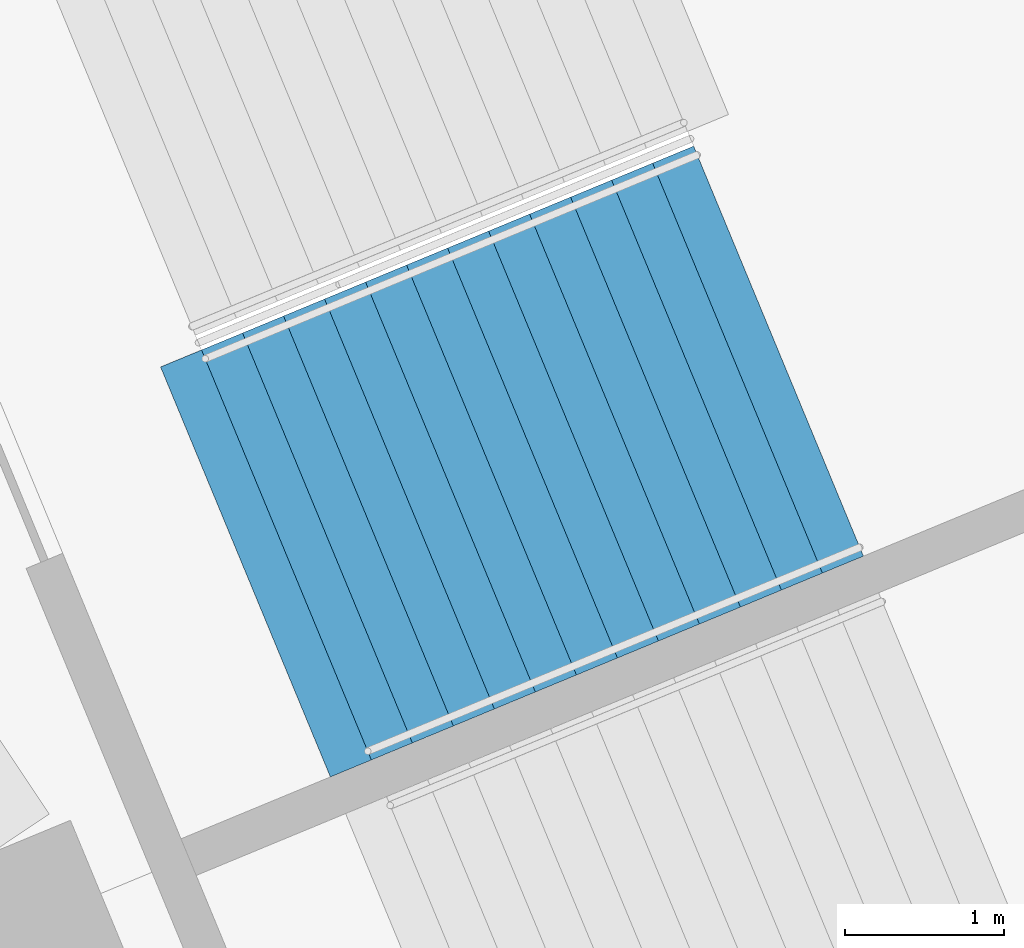
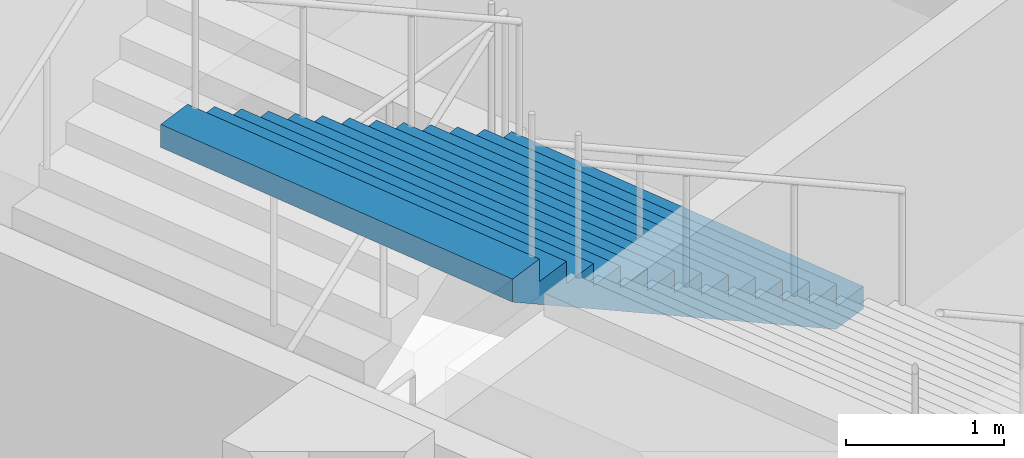
# One storey, part 157 of 177: 1 stair flight, 1 element without a shape of its own.
"""IFC4 building model written with IfcOpenShell, lengths in metres."""

from ifc_helpers import new_model, si_unit, direction, frame, origin, place, context, subcontext, project, spatial, faceted_brep, material, type_object, element, aggregate, save


model = new_model("IFC4")

# Units and contexts
model_context = context("Model", 3, precision=1e-05, world=origin(), true_north=direction((0.0, 1.0)))
body_context = subcontext(model_context, "Body", "Model", "MODEL_VIEW")
ifc_project = project(units=[si_unit("LENGTHUNIT", "METRE"), si_unit("AREAUNIT", "SQUARE_METRE"), si_unit("VOLUMEUNIT", "CUBIC_METRE"), si_unit("PLANEANGLEUNIT", "RADIAN"), si_unit("MASSUNIT", "GRAM", prefix="KILO")], contexts=[model_context])

# Site, building, storey
site_placement = place(None, origin())
site = spatial("IfcSite", under=ifc_project, at=site_placement, CompositionType="ELEMENT")
building_placement = place(site_placement, origin())
building = spatial("IfcBuilding", under=site, at=building_placement, Name="Ogive Plaza Stadium", CompositionType="ELEMENT")
storey_placement = place(building_placement, frame((0.0, 0.0, 18.0)))
storey = spatial("IfcBuildingStorey", under=building, at=storey_placement, Name="L04", CompositionType="ELEMENT", Elevation=18.0)

# Stair, stair flight
ifc_material_1 = material(Name="Concrete C40/50", Category="concrete")
stair_type = type_object("IfcStairType", Name="Exit stair", PredefinedType="STRAIGHT_RUN_STAIR", material=ifc_material_1)
stair_placement = place(storey_placement, origin())
stair = element("IfcStair", 1, at=stair_placement, inside=storey, type_object=stair_type, Name="Exit stair ST40B L04 to L05", PredefinedType="STRAIGHT_RUN_STAIR")
ifc_material_2 = material(Name="Concrete C40/50", Category="concrete")
stair_flight_type = type_object("IfcStairFlightType", Name="Exit stair flight", PredefinedType="STRAIGHT", material=ifc_material_2)
stair_flight_placement = place(storey_placement, frame((75.64697265625, 71.4013671875, 2.25), z_axis=(0.0, 0.0, 1.0), x_axis=(-0.923879532511, -0.382683432365, 0.0)))
stair_flight = element("IfcStairFlight", 2, at=stair_flight_placement, type_object=stair_flight_type, Name="ST40B flight 2", NumberOfRisers=13, NumberOfTreads=12, PredefinedType="STRAIGHT", RiserHeight=0.173076923, TreadLength=0.28, context=body_context, shape_type="Brep", body=[
    faceted_brep([(0.28515625, -1.39990234375, 0.0), (3.639892578125, -1.39990234375, 2.07373046875), (3.639892578125, -1.39990234375, 2.25), (3.360107421875, -1.39990234375, 2.25), (3.360107421875, -1.39990234375, 2.076904296875), (3.080078125, -1.39990234375, 2.076904296875), (3.080078125, -1.39990234375, 1.90380859375), (2.800048828125, -1.39990234375, 1.90380859375), (2.800048828125, -1.39990234375, 1.730712890625), (2.52001953125, -1.39990234375, 1.730712890625), (2.52001953125, -1.39990234375, 1.5576171875), (2.239990234375, -1.39990234375, 1.5576171875), (2.239990234375, -1.39990234375, 1.384521484375), (1.9599609375, -1.39990234375, 1.384521484375), (1.9599609375, -1.39990234375, 1.21142578125), (1.679931640625, -1.39990234375, 1.21142578125), (1.679931640625, -1.39990234375, 1.03857421875), (1.39990234375, -1.39990234375, 1.03857421875), (1.39990234375, -1.39990234375, 0.865478515625), (1.1201171875, -1.39990234375, 0.865478515625), (1.1201171875, -1.39990234375, 0.6923828125), (0.840087890625, -1.39990234375, 0.6923828125), (0.840087890625, -1.39990234375, 0.519287109375), (0.56005859375, -1.39990234375, 0.519287109375), (0.56005859375, -1.39990234375, 0.34619140625), (0.280029296875, -1.39990234375, 0.34619140625), (0.280029296875, -1.39990234375, 0.173095703125), (0.0, -1.39990234375, 0.173095703125), (0.0, -1.39990234375, 0.0), (0.0, 1.39990234375, 0.0), (0.0, 1.39990234375, 0.173095703125), (0.280029296875, 1.39990234375, 0.173095703125), (0.280029296875, 1.39990234375, 0.34619140625), (0.56005859375, 1.39990234375, 0.34619140625), (0.56005859375, 1.39990234375, 0.519287109375), (0.840087890625, 1.39990234375, 0.519287109375), (0.840087890625, 1.39990234375, 0.6923828125), (1.1201171875, 1.39990234375, 0.6923828125), (1.1201171875, 1.39990234375, 0.865478515625), (1.39990234375, 1.39990234375, 0.865478515625), (1.39990234375, 1.39990234375, 1.03857421875), (1.679931640625, 1.39990234375, 1.03857421875), (1.679931640625, 1.39990234375, 1.21142578125), (1.9599609375, 1.39990234375, 1.21142578125), (1.9599609375, 1.39990234375, 1.384521484375), (2.239990234375, 1.39990234375, 1.384521484375), (2.239990234375, 1.39990234375, 1.5576171875), (2.52001953125, 1.39990234375, 1.5576171875), (2.52001953125, 1.39990234375, 1.730712890625), (2.800048828125, 1.39990234375, 1.730712890625), (2.800048828125, 1.39990234375, 1.90380859375), (3.080078125, 1.39990234375, 1.90380859375), (3.080078125, 1.39990234375, 2.076904296875), (3.360107421875, 1.39990234375, 2.076904296875), (3.360107421875, 1.39990234375, 2.25), (3.639892578125, 1.39990234375, 2.25), (3.639892578125, 1.39990234375, 2.07373046875), (0.28515625, 1.39990234375, 0.0), (0.28515625, -1.0888671875, 0.0), (3.639892578125, -1.0888671875, 2.07373046875), (0.28515625, -0.77783203125, 0.0), (3.639892578125, -0.77783203125, 2.07373046875), (0.28515625, -0.466796875, 0.0), (3.639892578125, -0.466796875, 2.07373046875), (0.28515625, -0.155517578125, 0.0), (3.639892578125, -0.155517578125, 2.07373046875), (0.28515625, 0.155517578125, 0.0), (3.639892578125, 0.155517578125, 2.07373046875), (0.28515625, 0.466796875, 0.0), (3.639892578125, 0.466796875, 2.07373046875), (0.28515625, 0.77783203125, 0.0), (3.639892578125, 0.77783203125, 2.07373046875), (0.28515625, 1.0888671875, 0.0), (3.639892578125, 1.0888671875, 2.07373046875), (3.639892578125, -1.0888671875, 2.25), (3.639892578125, -0.77783203125, 2.25), (3.639892578125, -0.466796875, 2.25), (3.639892578125, -0.155517578125, 2.25), (3.639892578125, 0.155517578125, 2.25), (3.639892578125, 0.466796875, 2.25), (3.639892578125, 0.77783203125, 2.25), (3.639892578125, 1.0888671875, 2.25), (3.360107421875, -1.0888671875, 2.25), (3.360107421875, -0.77783203125, 2.25), (3.360107421875, -0.466796875, 2.25), (3.360107421875, -0.155517578125, 2.25), (3.360107421875, 0.155517578125, 2.25), (3.360107421875, 0.466796875, 2.25), (3.360107421875, 0.77783203125, 2.25), (3.360107421875, 1.0888671875, 2.25), (3.360107421875, -1.0888671875, 2.076904296875), (3.360107421875, -0.77783203125, 2.076904296875), (3.360107421875, -0.466796875, 2.076904296875), (3.360107421875, -0.155517578125, 2.076904296875), (3.360107421875, 0.155517578125, 2.076904296875), (3.360107421875, 0.466796875, 2.076904296875), (3.360107421875, 0.77783203125, 2.076904296875), (3.360107421875, 1.0888671875, 2.076904296875), (3.080078125, -1.0888671875, 2.076904296875), (3.080078125, -0.77783203125, 2.076904296875), (3.080078125, -0.466796875, 2.076904296875), (3.080078125, -0.155517578125, 2.076904296875), (3.080078125, 0.155517578125, 2.076904296875), (3.080078125, 0.466796875, 2.076904296875), (3.080078125, 0.77783203125, 2.076904296875), (3.080078125, 1.0888671875, 2.076904296875), (3.080078125, -1.0888671875, 1.90380859375), (3.080078125, -0.77783203125, 1.90380859375), (3.080078125, -0.466796875, 1.90380859375), (3.080078125, -0.155517578125, 1.90380859375), (3.080078125, 0.155517578125, 1.90380859375), (3.080078125, 0.466796875, 1.90380859375), (3.080078125, 0.77783203125, 1.90380859375), (3.080078125, 1.0888671875, 1.90380859375), (2.800048828125, -1.0888671875, 1.90380859375), (2.800048828125, -0.77783203125, 1.90380859375), (2.800048828125, -0.466796875, 1.90380859375), (2.800048828125, -0.155517578125, 1.90380859375), (2.800048828125, 0.155517578125, 1.90380859375), (2.800048828125, 0.466796875, 1.90380859375), (2.800048828125, 0.77783203125, 1.90380859375), (2.800048828125, 1.0888671875, 1.90380859375), (2.800048828125, -1.0888671875, 1.730712890625), (2.800048828125, -0.77783203125, 1.730712890625), (2.800048828125, -0.466796875, 1.730712890625), (2.800048828125, -0.155517578125, 1.730712890625), (2.800048828125, 0.155517578125, 1.730712890625), (2.800048828125, 0.466796875, 1.730712890625), (2.800048828125, 0.77783203125, 1.730712890625), (2.800048828125, 1.0888671875, 1.730712890625), (2.52001953125, -1.0888671875, 1.730712890625), (2.52001953125, -0.77783203125, 1.730712890625), (2.52001953125, -0.466796875, 1.730712890625), (2.52001953125, -0.155517578125, 1.730712890625), (2.52001953125, 0.155517578125, 1.730712890625), (2.52001953125, 0.466796875, 1.730712890625), (2.52001953125, 0.77783203125, 1.730712890625), (2.52001953125, 1.0888671875, 1.730712890625), (2.52001953125, -1.0888671875, 1.5576171875), (2.52001953125, -0.77783203125, 1.5576171875), (2.52001953125, -0.466796875, 1.5576171875), (2.52001953125, -0.155517578125, 1.5576171875), (2.52001953125, 0.155517578125, 1.5576171875), (2.52001953125, 0.466796875, 1.5576171875), (2.52001953125, 0.77783203125, 1.5576171875), (2.52001953125, 1.0888671875, 1.5576171875), (2.239990234375, -1.0888671875, 1.5576171875), (2.239990234375, -0.77783203125, 1.5576171875), (2.239990234375, -0.466796875, 1.5576171875), (2.239990234375, -0.155517578125, 1.5576171875), (2.239990234375, 0.155517578125, 1.5576171875), (2.239990234375, 0.466796875, 1.5576171875), (2.239990234375, 0.77783203125, 1.5576171875), (2.239990234375, 1.0888671875, 1.5576171875), (2.239990234375, -1.0888671875, 1.384521484375), (2.239990234375, -0.77783203125, 1.384521484375), (2.239990234375, -0.466796875, 1.384521484375), (2.239990234375, -0.155517578125, 1.384521484375), (2.239990234375, 0.155517578125, 1.384521484375), (2.239990234375, 0.466796875, 1.384521484375), (2.239990234375, 0.77783203125, 1.384521484375), (2.239990234375, 1.0888671875, 1.384521484375), (1.9599609375, -1.0888671875, 1.384521484375), (1.9599609375, -0.77783203125, 1.384521484375), (1.9599609375, -0.466796875, 1.384521484375), (1.9599609375, -0.155517578125, 1.384521484375), (1.9599609375, 0.155517578125, 1.384521484375), (1.9599609375, 0.466796875, 1.384521484375), (1.9599609375, 0.77783203125, 1.384521484375), (1.9599609375, 1.0888671875, 1.384521484375), (1.9599609375, -1.0888671875, 1.21142578125), (1.9599609375, -0.77783203125, 1.21142578125), (1.9599609375, -0.466796875, 1.21142578125), (1.9599609375, -0.155517578125, 1.21142578125), (1.9599609375, 0.155517578125, 1.21142578125), (1.9599609375, 0.466796875, 1.21142578125), (1.9599609375, 0.77783203125, 1.21142578125), (1.9599609375, 1.0888671875, 1.21142578125), (1.679931640625, -1.0888671875, 1.21142578125), (1.679931640625, -0.77783203125, 1.21142578125), (1.679931640625, -0.466796875, 1.21142578125), (1.679931640625, -0.155517578125, 1.21142578125), (1.679931640625, 0.155517578125, 1.21142578125), (1.679931640625, 0.466796875, 1.21142578125), (1.679931640625, 0.77783203125, 1.21142578125), (1.679931640625, 1.0888671875, 1.21142578125), (1.679931640625, -1.0888671875, 1.03857421875), (1.679931640625, -0.77783203125, 1.03857421875), (1.679931640625, -0.466796875, 1.03857421875), (1.679931640625, -0.155517578125, 1.03857421875), (1.679931640625, 0.155517578125, 1.03857421875), (1.679931640625, 0.466796875, 1.03857421875), (1.679931640625, 0.77783203125, 1.03857421875), (1.679931640625, 1.0888671875, 1.03857421875), (1.39990234375, -1.0888671875, 1.03857421875), (1.39990234375, -0.77783203125, 1.03857421875), (1.39990234375, -0.466796875, 1.03857421875), (1.39990234375, -0.155517578125, 1.03857421875), (1.39990234375, 0.155517578125, 1.03857421875), (1.39990234375, 0.466796875, 1.03857421875), (1.39990234375, 0.77783203125, 1.03857421875), (1.39990234375, 1.0888671875, 1.03857421875), (1.39990234375, -1.0888671875, 0.865478515625), (1.39990234375, -0.77783203125, 0.865478515625), (1.39990234375, -0.466796875, 0.865478515625), (1.39990234375, -0.155517578125, 0.865478515625), (1.39990234375, 0.155517578125, 0.865478515625), (1.39990234375, 0.466796875, 0.865478515625), (1.39990234375, 0.77783203125, 0.865478515625), (1.39990234375, 1.0888671875, 0.865478515625), (1.1201171875, -1.0888671875, 0.865478515625), (1.1201171875, -0.77783203125, 0.865478515625), (1.1201171875, -0.466796875, 0.865478515625), (1.1201171875, -0.155517578125, 0.865478515625), (1.1201171875, 0.155517578125, 0.865478515625), (1.1201171875, 0.466796875, 0.865478515625), (1.1201171875, 0.77783203125, 0.865478515625), (1.1201171875, 1.0888671875, 0.865478515625), (1.1201171875, -1.0888671875, 0.6923828125), (1.1201171875, -0.77783203125, 0.6923828125), (1.1201171875, -0.466796875, 0.6923828125), (1.1201171875, -0.155517578125, 0.6923828125), (1.1201171875, 0.155517578125, 0.6923828125), (1.1201171875, 0.466796875, 0.6923828125), (1.1201171875, 0.77783203125, 0.6923828125), (1.1201171875, 1.0888671875, 0.6923828125), (0.840087890625, -1.0888671875, 0.6923828125), (0.840087890625, -0.77783203125, 0.6923828125), (0.840087890625, -0.466796875, 0.6923828125), (0.840087890625, -0.155517578125, 0.6923828125), (0.840087890625, 0.155517578125, 0.6923828125), (0.840087890625, 0.466796875, 0.6923828125), (0.840087890625, 0.77783203125, 0.6923828125), (0.840087890625, 1.0888671875, 0.6923828125), (0.840087890625, -1.0888671875, 0.519287109375), (0.840087890625, -0.77783203125, 0.519287109375), (0.840087890625, -0.466796875, 0.519287109375), (0.840087890625, -0.155517578125, 0.519287109375), (0.840087890625, 0.155517578125, 0.519287109375), (0.840087890625, 0.466796875, 0.519287109375), (0.840087890625, 0.77783203125, 0.519287109375), (0.840087890625, 1.0888671875, 0.519287109375), (0.56005859375, -1.0888671875, 0.519287109375), (0.56005859375, -0.77783203125, 0.519287109375), (0.56005859375, -0.466796875, 0.519287109375), (0.56005859375, -0.155517578125, 0.519287109375), (0.56005859375, 0.155517578125, 0.519287109375), (0.56005859375, 0.466796875, 0.519287109375), (0.56005859375, 0.77783203125, 0.519287109375), (0.56005859375, 1.0888671875, 0.519287109375), (0.56005859375, -1.0888671875, 0.34619140625), (0.56005859375, -0.77783203125, 0.34619140625), (0.56005859375, -0.466796875, 0.34619140625), (0.56005859375, -0.155517578125, 0.34619140625), (0.56005859375, 0.155517578125, 0.34619140625), (0.56005859375, 0.466796875, 0.34619140625), (0.56005859375, 0.77783203125, 0.34619140625), (0.56005859375, 1.0888671875, 0.34619140625), (0.280029296875, -1.0888671875, 0.34619140625), (0.280029296875, -0.77783203125, 0.34619140625), (0.280029296875, -0.466796875, 0.34619140625), (0.280029296875, -0.155517578125, 0.34619140625), (0.280029296875, 0.155517578125, 0.34619140625), (0.280029296875, 0.466796875, 0.34619140625), (0.280029296875, 0.77783203125, 0.34619140625), (0.280029296875, 1.0888671875, 0.34619140625), (0.280029296875, -1.0888671875, 0.173095703125), (0.280029296875, -0.77783203125, 0.173095703125), (0.280029296875, -0.466796875, 0.173095703125), (0.280029296875, -0.155517578125, 0.173095703125), (0.280029296875, 0.155517578125, 0.173095703125), (0.280029296875, 0.466796875, 0.173095703125), (0.280029296875, 0.77783203125, 0.173095703125), (0.280029296875, 1.0888671875, 0.173095703125), (0.0, -1.0888671875, 0.173095703125), (0.0, -0.77783203125, 0.173095703125), (0.0, -0.466796875, 0.173095703125), (0.0, -0.155517578125, 0.173095703125), (0.0, 0.155517578125, 0.173095703125), (0.0, 0.466796875, 0.173095703125), (0.0, 0.77783203125, 0.173095703125), (0.0, 1.0888671875, 0.173095703125), (0.0, -1.0888671875, 0.0), (0.0, -0.77783203125, 0.0), (0.0, -0.466796875, 0.0), (0.0, -0.155517578125, 0.0), (0.0, 0.155517578125, 0.0), (0.0, 0.466796875, 0.0), (0.0, 0.77783203125, 0.0), (0.0, 1.0888671875, 0.0)], [[[0, 1, 2, 3, 4, 5, 6, 7, 8, 9, 10, 11, 12, 13, 14, 15, 16, 17, 18, 19, 20, 21, 22, 23, 24, 25, 26, 27, 28]], [[29, 30, 31, 32, 33, 34, 35, 36, 37, 38, 39, 40, 41, 42, 43, 44, 45, 46, 47, 48, 49, 50, 51, 52, 53, 54, 55, 56, 57]], [[0, 58, 59, 1]], [[58, 60, 61, 59]], [[60, 62, 63, 61]], [[62, 64, 65, 63]], [[64, 66, 67, 65]], [[66, 68, 69, 67]], [[68, 70, 71, 69]], [[70, 72, 73, 71]], [[72, 57, 56, 73]], [[1, 59, 74, 2]], [[59, 61, 75, 74]], [[61, 63, 76, 75]], [[63, 65, 77, 76]], [[65, 67, 78, 77]], [[67, 69, 79, 78]], [[69, 71, 80, 79]], [[71, 73, 81, 80]], [[73, 56, 55, 81]], [[2, 74, 82, 3]], [[74, 75, 83, 82]], [[75, 76, 84, 83]], [[76, 77, 85, 84]], [[77, 78, 86, 85]], [[78, 79, 87, 86]], [[79, 80, 88, 87]], [[80, 81, 89, 88]], [[81, 55, 54, 89]], [[3, 82, 90, 4]], [[82, 83, 91, 90]], [[83, 84, 92, 91]], [[84, 85, 93, 92]], [[85, 86, 94, 93]], [[86, 87, 95, 94]], [[87, 88, 96, 95]], [[88, 89, 97, 96]], [[89, 54, 53, 97]], [[4, 90, 98, 5]], [[90, 91, 99, 98]], [[91, 92, 100, 99]], [[92, 93, 101, 100]], [[93, 94, 102, 101]], [[94, 95, 103, 102]], [[95, 96, 104, 103]], [[96, 97, 105, 104]], [[97, 53, 52, 105]], [[5, 98, 106, 6]], [[98, 99, 107, 106]], [[99, 100, 108, 107]], [[100, 101, 109, 108]], [[101, 102, 110, 109]], [[102, 103, 111, 110]], [[103, 104, 112, 111]], [[104, 105, 113, 112]], [[105, 52, 51, 113]], [[6, 106, 114, 7]], [[106, 107, 115, 114]], [[107, 108, 116, 115]], [[108, 109, 117, 116]], [[109, 110, 118, 117]], [[110, 111, 119, 118]], [[111, 112, 120, 119]], [[112, 113, 121, 120]], [[113, 51, 50, 121]], [[7, 114, 122, 8]], [[114, 115, 123, 122]], [[115, 116, 124, 123]], [[116, 117, 125, 124]], [[117, 118, 126, 125]], [[118, 119, 127, 126]], [[119, 120, 128, 127]], [[120, 121, 129, 128]], [[121, 50, 49, 129]], [[8, 122, 130, 9]], [[122, 123, 131, 130]], [[123, 124, 132, 131]], [[124, 125, 133, 132]], [[125, 126, 134, 133]], [[126, 127, 135, 134]], [[127, 128, 136, 135]], [[128, 129, 137, 136]], [[129, 49, 48, 137]], [[9, 130, 138, 10]], [[130, 131, 139, 138]], [[131, 132, 140, 139]], [[132, 133, 141, 140]], [[133, 134, 142, 141]], [[134, 135, 143, 142]], [[135, 136, 144, 143]], [[136, 137, 145, 144]], [[137, 48, 47, 145]], [[10, 138, 146, 11]], [[138, 139, 147, 146]], [[139, 140, 148, 147]], [[140, 141, 149, 148]], [[141, 142, 150, 149]], [[142, 143, 151, 150]], [[143, 144, 152, 151]], [[144, 145, 153, 152]], [[145, 47, 46, 153]], [[11, 146, 154, 12]], [[146, 147, 155, 154]], [[147, 148, 156, 155]], [[148, 149, 157, 156]], [[149, 150, 158, 157]], [[150, 151, 159, 158]], [[151, 152, 160, 159]], [[152, 153, 161, 160]], [[153, 46, 45, 161]], [[12, 154, 162, 13]], [[154, 155, 163, 162]], [[155, 156, 164, 163]], [[156, 157, 165, 164]], [[157, 158, 166, 165]], [[158, 159, 167, 166]], [[159, 160, 168, 167]], [[160, 161, 169, 168]], [[161, 45, 44, 169]], [[13, 162, 170, 14]], [[162, 163, 171, 170]], [[163, 164, 172, 171]], [[164, 165, 173, 172]], [[165, 166, 174, 173]], [[166, 167, 175, 174]], [[167, 168, 176, 175]], [[168, 169, 177, 176]], [[169, 44, 43, 177]], [[14, 170, 178, 15]], [[170, 171, 179, 178]], [[171, 172, 180, 179]], [[172, 173, 181, 180]], [[173, 174, 182, 181]], [[174, 175, 183, 182]], [[175, 176, 184, 183]], [[176, 177, 185, 184]], [[177, 43, 42, 185]], [[15, 178, 186, 16]], [[178, 179, 187, 186]], [[179, 180, 188, 187]], [[180, 181, 189, 188]], [[181, 182, 190, 189]], [[182, 183, 191, 190]], [[183, 184, 192, 191]], [[184, 185, 193, 192]], [[185, 42, 41, 193]], [[16, 186, 194, 17]], [[186, 187, 195, 194]], [[187, 188, 196, 195]], [[188, 189, 197, 196]], [[189, 190, 198, 197]], [[190, 191, 199, 198]], [[191, 192, 200, 199]], [[192, 193, 201, 200]], [[193, 41, 40, 201]], [[17, 194, 202, 18]], [[194, 195, 203, 202]], [[195, 196, 204, 203]], [[196, 197, 205, 204]], [[197, 198, 206, 205]], [[198, 199, 207, 206]], [[199, 200, 208, 207]], [[200, 201, 209, 208]], [[201, 40, 39, 209]], [[18, 202, 210, 19]], [[202, 203, 211, 210]], [[203, 204, 212, 211]], [[204, 205, 213, 212]], [[205, 206, 214, 213]], [[206, 207, 215, 214]], [[207, 208, 216, 215]], [[208, 209, 217, 216]], [[209, 39, 38, 217]], [[19, 210, 218, 20]], [[210, 211, 219, 218]], [[211, 212, 220, 219]], [[212, 213, 221, 220]], [[213, 214, 222, 221]], [[214, 215, 223, 222]], [[215, 216, 224, 223]], [[216, 217, 225, 224]], [[217, 38, 37, 225]], [[20, 218, 226, 21]], [[218, 219, 227, 226]], [[219, 220, 228, 227]], [[220, 221, 229, 228]], [[221, 222, 230, 229]], [[222, 223, 231, 230]], [[223, 224, 232, 231]], [[224, 225, 233, 232]], [[225, 37, 36, 233]], [[21, 226, 234, 22]], [[226, 227, 235, 234]], [[227, 228, 236, 235]], [[228, 229, 237, 236]], [[229, 230, 238, 237]], [[230, 231, 239, 238]], [[231, 232, 240, 239]], [[232, 233, 241, 240]], [[233, 36, 35, 241]], [[22, 234, 242, 23]], [[234, 235, 243, 242]], [[235, 236, 244, 243]], [[236, 237, 245, 244]], [[237, 238, 246, 245]], [[238, 239, 247, 246]], [[239, 240, 248, 247]], [[240, 241, 249, 248]], [[241, 35, 34, 249]], [[23, 242, 250, 24]], [[242, 243, 251, 250]], [[243, 244, 252, 251]], [[244, 245, 253, 252]], [[245, 246, 254, 253]], [[246, 247, 255, 254]], [[247, 248, 256, 255]], [[248, 249, 257, 256]], [[249, 34, 33, 257]], [[24, 250, 258, 25]], [[250, 251, 259, 258]], [[251, 252, 260, 259]], [[252, 253, 261, 260]], [[253, 254, 262, 261]], [[254, 255, 263, 262]], [[255, 256, 264, 263]], [[256, 257, 265, 264]], [[257, 33, 32, 265]], [[25, 258, 266, 26]], [[258, 259, 267, 266]], [[259, 260, 268, 267]], [[260, 261, 269, 268]], [[261, 262, 270, 269]], [[262, 263, 271, 270]], [[263, 264, 272, 271]], [[264, 265, 273, 272]], [[265, 32, 31, 273]], [[26, 266, 274, 27]], [[266, 267, 275, 274]], [[267, 268, 276, 275]], [[268, 269, 277, 276]], [[269, 270, 278, 277]], [[270, 271, 279, 278]], [[271, 272, 280, 279]], [[272, 273, 281, 280]], [[273, 31, 30, 281]], [[27, 274, 282, 28]], [[274, 275, 283, 282]], [[275, 276, 284, 283]], [[276, 277, 285, 284]], [[277, 278, 286, 285]], [[278, 279, 287, 286]], [[279, 280, 288, 287]], [[280, 281, 289, 288]], [[281, 30, 29, 289]], [[28, 282, 58, 0]], [[282, 283, 60, 58]], [[283, 284, 62, 60]], [[284, 285, 64, 62]], [[285, 286, 66, 64]], [[286, 287, 68, 66]], [[287, 288, 70, 68]], [[288, 289, 72, 70]], [[289, 29, 57, 72]]]),
])
aggregate(stair, [stair_flight])

save(model, "model.ifc")
